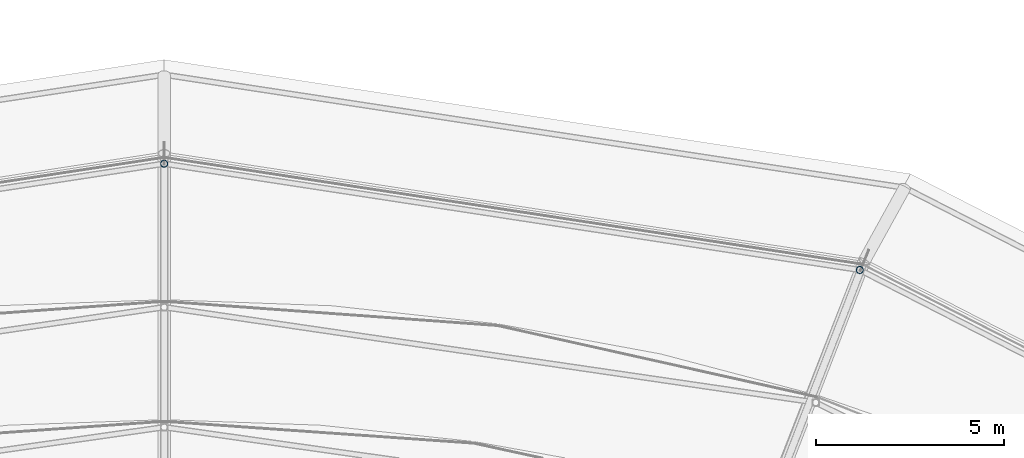
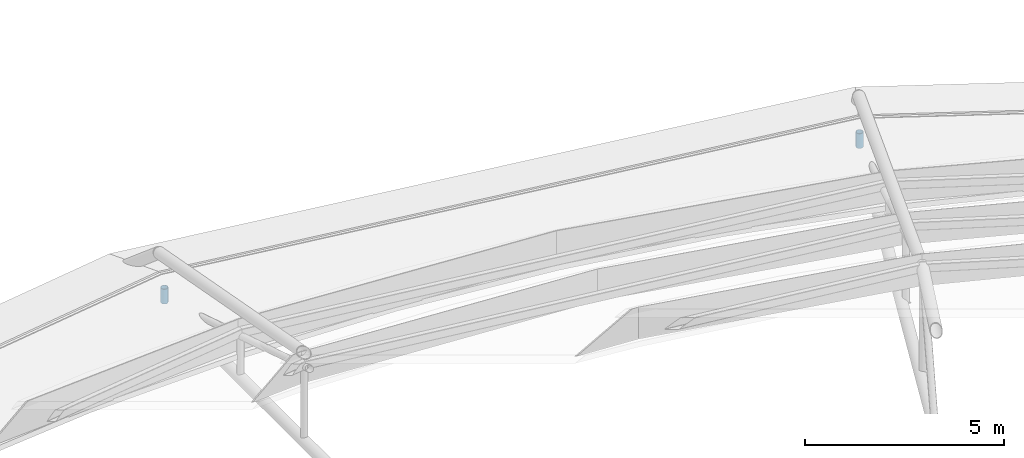
# One storey, part 101 of 134: 2 members.
"""IFC4 building model written with IfcOpenShell, lengths in metres."""

import ifcopenshell
import ifcopenshell.guid

model = None  # the IFC model being written
_history = None  # IfcOwnerHistory: only IFC2X3 demands one
_inside = {}  # id of a spatial element -> (the spatial element, [elements in it])
_under = {}  # id of a project, library or spatial element -> (it, [spatial elements below it])
_declared = {}  # id of a project -> (the project, [libraries it declares])
_typed = {}  # id of a type object -> (the type object, [elements of that type])
_made_of = {}  # id of a material, layer set ... -> (it, [elements and type objects made of it])


def new_model(schema):
    """Start an empty IFC model of exactly this schema.

    Asked for "IFC4X3", IfcOpenShell would pick the latest addendum, in which some entities
    have other attributes; the version numbers below select the first issue.
    IFC2X3 requires an IfcOwnerHistory on every rooted entity: one is made here for all.
    """
    global model, _history
    if schema == "IFC4X3":
        model = ifcopenshell.file(schema_version=(4, 3, 0, 0))
    else:
        model = ifcopenshell.file(schema=schema)
    _inside.clear()
    _under.clear()
    _declared.clear()
    _typed.clear()
    _made_of.clear()
    _history = None
    if model.schema == "IFC2X3":
        org = make("IfcOrganization", Name="unknown")
        user = make(
            "IfcPersonAndOrganization",
            ThePerson=make("IfcPerson", FamilyName="unknown"),
            TheOrganization=org,
        )
        app = make(
            "IfcApplication",
            ApplicationDeveloper=org,
            Version="unknown",
            ApplicationFullName="unknown",
            ApplicationIdentifier="unknown",
        )
        _history = make(
            "IfcOwnerHistory",
            OwningUser=user,
            OwningApplication=app,
            ChangeAction="ADDED",
            CreationDate=0,
        )
    return model


def make(cls, **values):
    """One entity of the class cls with the attributes given. An attribute that is None is left unset."""
    return model.create_entity(
        cls, **{name: value for name, value in values.items() if value is not None}
    )


def rooted(cls, **values):
    """An entity with a GlobalId (a new one), such as an element, a storey or a relation."""
    return make(cls, GlobalId=ifcopenshell.guid.new(), OwnerHistory=_history, **values)


def si_unit(unit_type, name, prefix=None):
    """IfcSIUnit, for example si_unit("LENGTHUNIT", "METRE", prefix="MILLI")."""
    return make("IfcSIUnit", UnitType=unit_type, Prefix=prefix, Name=name)


def derived_unit(unit_type, elements):
    """IfcDerivedUnit: a product of units, each with its exponent."""
    return make(
        "IfcDerivedUnit",
        Elements=[
            make("IfcDerivedUnitElement", Unit=unit, Exponent=power)
            for unit, power in elements
        ],
        UnitType=unit_type,
    )


def assignment(units):
    """IfcUnitAssignment: the units of a project."""
    return None if units is None else make("IfcUnitAssignment", Units=units)


def point(xyz):
    """IfcCartesianPoint."""
    return None if xyz is None else make("IfcCartesianPoint", Coordinates=xyz)


def direction(xyz):
    """IfcDirection."""
    return None if xyz is None else make("IfcDirection", DirectionRatios=xyz)


def frame(location, z_axis=None, x_axis=None):
    """IfcAxis2Placement3D, a coordinate frame: its origin and axes. An axis left out is left unset."""
    return make(
        "IfcAxis2Placement3D",
        Location=point(location),
        Axis=direction(z_axis),
        RefDirection=direction(x_axis),
    )


def frame_2d(location, x_axis=None):
    """IfcAxis2Placement2D, a coordinate frame in the plane: its origin and x axis."""
    return make(
        "IfcAxis2Placement2D", Location=point(location), RefDirection=direction(x_axis)
    )


def origin():
    """The frame at (0, 0, 0) with its axes left unset."""
    return frame((0.0, 0.0, 0.0))


def origin_2d():
    """The frame at (0, 0) in the plane with its x axis left unset."""
    return frame_2d((0.0, 0.0))


def place(relative_to, where):
    """IfcLocalPlacement: puts the frame where relative to a parent placement (None: the world)."""
    return make(
        "IfcLocalPlacement", PlacementRelTo=relative_to, RelativePlacement=where
    )


def context(
    kind, dimensions, precision=None, world=None, true_north=None, identifier=None
):
    """IfcGeometricRepresentationContext, for example the 3D "Model" context."""
    return make(
        "IfcGeometricRepresentationContext",
        ContextIdentifier=identifier,
        ContextType=kind,
        CoordinateSpaceDimension=dimensions,
        Precision=precision,
        WorldCoordinateSystem=world,
        TrueNorth=true_north,
    )


def subcontext(parent, identifier, kind, view, scale=None):
    """IfcGeometricRepresentationSubContext, for example "Body" below "Model"."""
    return make(
        "IfcGeometricRepresentationSubContext",
        ContextIdentifier=identifier,
        ContextType=kind,
        ParentContext=parent,
        TargetScale=scale,
        TargetView=view,
    )


def project(units=None, contexts=None):
    """IfcProject with its units and contexts."""
    return rooted(
        "IfcProject",
        Name="project",
        RepresentationContexts=contexts,
        UnitsInContext=assignment(units),
    )


def spatial(cls, under=None, at=None, **own):
    """A site, building, storey or space (cls), placed at a placement, below another one or the project."""
    s = rooted(cls, ObjectPlacement=at, **own)
    if under is not None:
        _under.setdefault(under.id(), (under, []))[1].append(s)
    return s


def profile(cls, at=None, kind="AREA", **sizes):
    """A parametric profile (cls). Its sizes go by their IFC names, for example OverallWidth=200.0."""
    return make(cls, ProfileType=kind, Position=at, **sizes)


def hollow_circle(**sizes):
    """IfcCircleHollowProfileDef."""
    return profile("IfcCircleHollowProfileDef", **sizes)


def extrude(swept, where, along, depth):
    """IfcExtrudedAreaSolid: the profile swept, set in the frame where, extruded along a direction by depth."""
    return make(
        "IfcExtrudedAreaSolid",
        SweptArea=swept,
        Position=where,
        ExtrudedDirection=direction(along),
        Depth=depth,
    )


def shape(context_of_items, identifier, shape_type, items):
    """IfcShapeRepresentation: the items that make up one representation, for example the "Body"."""
    return make(
        "IfcShapeRepresentation",
        ContextOfItems=context_of_items,
        RepresentationIdentifier=identifier,
        RepresentationType=shape_type,
        Items=items,
    )


def material(Name=None, Category=None):
    """IfcMaterial."""
    return make("IfcMaterial", Name=Name, Category=Category)


def material_profile(
    of_material, cross_section, Name=None, Category=None, Priority=None
):
    """IfcMaterialProfile: a cross section and its material."""
    return make(
        "IfcMaterialProfile",
        Name=Name,
        Material=of_material,
        Profile=cross_section,
        Priority=Priority,
        Category=Category,
    )


def profile_set(profiles, Name=None, composite=None):
    """IfcMaterialProfileSet."""
    return make(
        "IfcMaterialProfileSet",
        Name=Name,
        MaterialProfiles=profiles,
        CompositeProfile=composite,
    )


def made_of(thing, what):
    """Note that an element or type object is made of a material, layer set ...; save() writes the relation."""
    if what is not None:
        _made_of.setdefault(what.id(), (what, []))[1].append(thing)
    return thing


def type_object(cls, material=None, **own):
    """A type object (cls), such as IfcWallType, which elements share."""
    return made_of(rooted(cls, **own), material)


def element(
    cls,
    number,
    at=None,
    inside=None,
    cuts=None,
    type_object=None,
    material=None,
    context=None,
    identifier="Body",
    shape_type=None,
    held_by="IfcProductDefinitionShape",
    body=None,
    shapes=None,
    **own,
):
    """One element of the class cls, such as IfcWall. Its Tag is "e" and its number.

    at: its placement. inside: the storey or other place that contains it. cuts: it is an
    opening in that element (IfcRelVoidsElement). A single representation is given by context,
    identifier, shape_type and body (its items); several are given by shapes. held_by: the class
    of the entity that holds the representations. save() writes the other relations.
    """
    e = rooted(cls, Tag="e%d" % number, ObjectPlacement=at, **own)
    if body is not None:
        shapes = [shape(context, identifier, shape_type, body)]
    if shapes is not None:
        e.Representation = make(held_by, Representations=shapes)
    if inside is not None:
        _inside.setdefault(inside.id(), (inside, []))[1].append(e)
    if cuts is not None:
        rooted(
            "IfcRelVoidsElement", RelatingBuildingElement=cuts, RelatedOpeningElement=e
        )
    if type_object is not None:
        _typed.setdefault(type_object.id(), (type_object, []))[1].append(e)
    return made_of(e, material)


def aggregate(whole, parts):
    """IfcRelAggregates: a whole, such as a stair, and the parts it consists of."""
    return rooted("IfcRelAggregates", RelatingObject=whole, RelatedObjects=parts)


def save(model, path):
    """Write the relations noted so far, then the file.

    IfcRelAggregates (storeys below a building ...), IfcRelContainedInSpatialStructure (elements
    in a storey), IfcRelDefinesByType, IfcRelAssociatesMaterial and IfcRelDeclares: one each for
    every whole, place, type object, material and project.
    """
    for whole, parts in _under.values():
        aggregate(whole, parts)
    for where, things in _inside.values():
        rooted(
            "IfcRelContainedInSpatialStructure",
            RelatedElements=things,
            RelatingStructure=where,
        )
    for kind, things in _typed.values():
        rooted("IfcRelDefinesByType", RelatedObjects=things, RelatingType=kind)
    for what, things in _made_of.values():
        rooted("IfcRelAssociatesMaterial", RelatedObjects=things, RelatingMaterial=what)
    for by, libraries in _declared.values():
        rooted("IfcRelDeclares", RelatingContext=by, RelatedDefinitions=libraries)
    model.write(path)


model = new_model("IFC4")

# Units and contexts
model_context = context("Model", 3, precision=1e-05, world=origin(), true_north=direction((0.0, 1.0)))
body_context = subcontext(model_context, "Body", "Model", "MODEL_VIEW")
ifc_project = project(units=[si_unit("LENGTHUNIT", "METRE"), si_unit("AREAUNIT", "SQUARE_METRE"), si_unit("VOLUMEUNIT", "CUBIC_METRE"), si_unit("PLANEANGLEUNIT", "RADIAN"), si_unit("MASSUNIT", "GRAM", prefix="KILO"), derived_unit("THERMALTRANSMITTANCEUNIT", [(si_unit("MASSUNIT", "GRAM", prefix="KILO"), 1), (si_unit("TIMEUNIT", "SECOND"), -3), (si_unit("THERMODYNAMICTEMPERATUREUNIT", "KELVIN"), -1)])], contexts=[model_context])

# Site, building, storey
site_placement = place(None, origin())
site = spatial("IfcSite", under=ifc_project, at=site_placement, CompositionType="ELEMENT")
building_placement = place(site_placement, origin())
building = spatial("IfcBuilding", under=site, at=building_placement, Name="Kharveza Railside Sports Centre", CompositionType="ELEMENT")
storey_placement = place(building_placement, frame((0.0, 0.0, 12.89990234375)))
storey = spatial("IfcBuildingStorey", under=building, at=storey_placement, Name="L03", CompositionType="ELEMENT", Elevation=12.89990234375)

# Members
ifc_material = material(Name="Steel S355J2", Category="steel")
ifc_material_profile = material_profile(ifc_material, hollow_circle(Radius=0.096923828125, WallThickness=0.010009765625, at=origin_2d()), Name="CHS 193.7x10.0")
ifc_profile_set = profile_set([ifc_material_profile], Name="Steel S355J2")
member_type = type_object("IfcMemberType", Name="MB-ST02", PredefinedType="STRUT", material=ifc_profile_set)
for number, where, z_axis, x_axis, name in (
    (1, (73.148681640625, 84.793212890625, -0.0498046875), (0.0, 0.0, 1.0), (1.0, 0.0, 0.0), "MB-LIDPOST-S1-04"),
    (2, (54.60009765625, 87.626953125, -0.0498046875), (0.0, 0.0, 1.0), (1.0, 0.0, 0.0), "MB-LIDPOST-S1-05"),
):
    element("IfcMember", number, at=place(storey_placement, frame(where, z_axis=z_axis, x_axis=x_axis)), inside=storey, type_object=member_type, Name=name, PredefinedType="STRUT", context=body_context, shape_type="SweptSolid", body=[
        extrude(hollow_circle(Radius=0.096923828125, WallThickness=0.010009765625, at=origin_2d()), origin(), (0.0, 0.0, 1.0), 0.454833984375),
    ])

save(model, "model.ifc")
